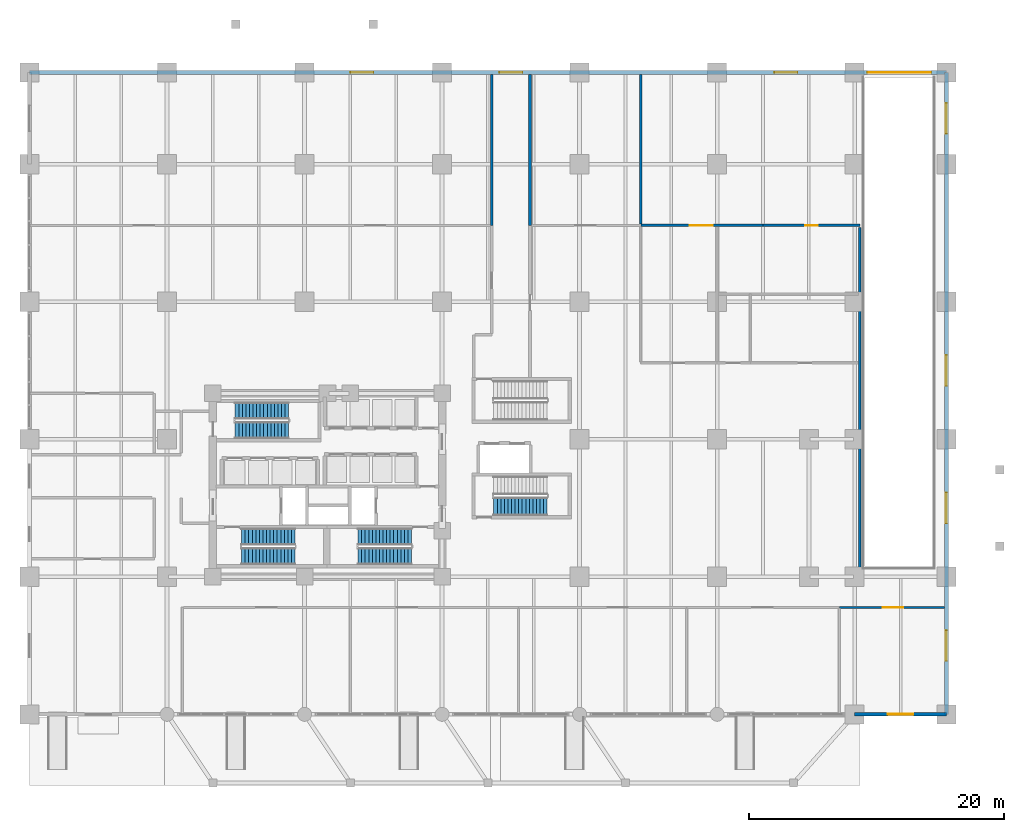
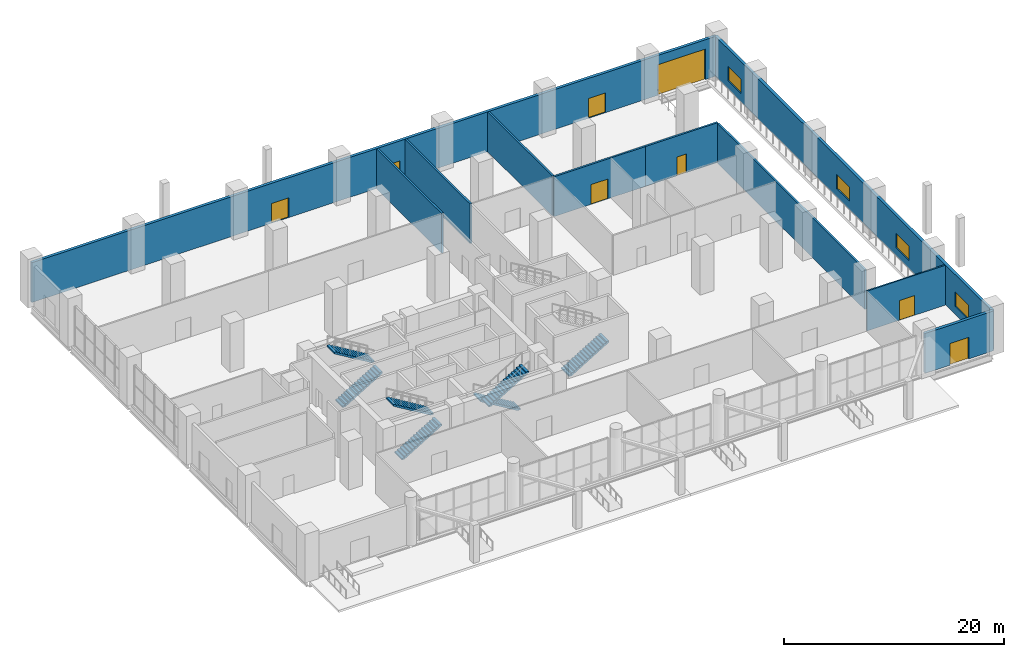
# One storey, part 16 of 22: 10 walls, 8 doors, 7 stair flights, 4 windows, 12 openings, 4 elements without a shape of their own.
"""IFC4 building model written with IfcOpenShell, lengths in metres."""

from ifc_helpers import new_model, si_unit, direction, frame, frame_2d, origin, place, context, subcontext, project, spatial, polyline, rectangle, outline, extrude, material, layer, layer_set, type_object, element, fill, aggregate, save


model = new_model("IFC4")

# Units and contexts
model_context = context("Model", 3, precision=1e-05, world=origin(), true_north=direction((0.0, 1.0)))
body_context = subcontext(model_context, "Body", "Model", "MODEL_VIEW")
ifc_project = project(units=[si_unit("LENGTHUNIT", "METRE"), si_unit("AREAUNIT", "SQUARE_METRE"), si_unit("VOLUMEUNIT", "CUBIC_METRE"), si_unit("PLANEANGLEUNIT", "RADIAN"), si_unit("MASSUNIT", "GRAM", prefix="KILO")], contexts=[model_context])

# Site, building, storey
site_placement = place(None, origin())
site = spatial("IfcSite", under=ifc_project, at=site_placement, CompositionType="ELEMENT")
building_placement = place(site_placement, origin())
building = spatial("IfcBuilding", under=site, at=building_placement, Name="Solnavia Interchange Tower", CompositionType="ELEMENT")
storey_placement = place(building_placement, origin())
storey = spatial("IfcBuildingStorey", under=building, at=storey_placement, Name="L00", CompositionType="ELEMENT", Elevation=0.0)

# Wall, opening, door
ifc_material_1 = material(Name="Concrete C40/50", Category="concrete")
ifc_layer_1 = layer(ifc_material_1, 0.300048828125)
ifc_layer_set_1 = layer_set([ifc_layer_1], Name="Concrete C40/50")
wall_type_1 = type_object("IfcWallType", Name="Wall-ExtSpandrel-300", PredefinedType="STANDARD", material=ifc_layer_set_1)
wall_1_placement = place(storey_placement, frame((72.0, 0.0, 0.0), z_axis=(0.0, 0.0, 1.0), x_axis=(-1.0, 0.0, 0.0)))
wall_1 = element("IfcWall", 1, at=wall_1_placement, inside=storey, type_object=wall_type_1, Name="EXW-L00-SE South-east shopfront wall", PredefinedType="STANDARD", context=body_context, shape_type="SweptSolid", body=[
    extrude(rectangle(XDim=7.199951171875, YDim=0.300048828125, at=frame_2d((3.60009765625, 0.0))), origin(), (0.0, 0.0, 1.0), 4.429931640625),
])
opening_1_placement = place(wall_1_placement, frame((2.60009765625, 0.0, 0.0)))
opening_1 = element("IfcOpeningElement", 2, at=opening_1_placement, cuts=wall_1, Name="Opening EXD-01", PredefinedType="OPENING", context=body_context, shape_type="SweptSolid", body=[
    extrude(rectangle(XDim=2.0, YDim=2.39990234375, at=frame_2d((1.0, 1.199951171875))), frame((0.0, 0.16015625, 0.0), z_axis=(0.0, -1.0, 0.0), x_axis=(1.0, 0.0, 0.0)), (0.0, 0.0, 1.0), 0.320068359375),
])
ifc_material_2 = material(Name="Thermally Broken Aluminium & Laminated Glass", Category="aluminium")
door_type_1 = type_object("IfcDoorType", Name="Door-Entrance-2000x2400", OperationType="DOUBLE_DOOR_SINGLE_SWING", PredefinedType="DOOR", material=ifc_material_2)
door_1_placement = place(opening_1_placement, origin())
door_1 = element("IfcDoor", 3, at=door_1_placement, inside=storey, type_object=door_type_1, Name="EXD-L00-CAFE Waterfront cafe terrace door", OperationType="SINGLE_SWING_LEFT", OverallHeight=2.39990234375, OverallWidth=2.0, PredefinedType="DOOR", context=body_context, shape_type="SweptSolid", body=[
    extrude(rectangle(XDim=2.0, YDim=2.39990234375, at=frame_2d((1.0, 1.199951171875))), frame((0.0, 0.02490234375, 0.0), z_axis=(0.0, -1.0, 0.0), x_axis=(1.0, 0.0, 0.0)), (0.0, 0.0, 1.0), 0.050048828125),
])
fill(opening_1, door_1)

# Wall, openings, windows
wall_2_placement = place(storey_placement, frame((72.0, 50.39990234375, 0.0), z_axis=(0.0, 0.0, 1.0), x_axis=(0.0, -1.0, 0.0)))
wall_2 = element("IfcWall", 4, at=wall_2_placement, inside=storey, type_object=wall_type_1, Name="EXW-L00-E East facade wall", PredefinedType="STANDARD", context=body_context, shape_type="SweptSolid", body=[
    extrude(rectangle(XDim=50.39990234375, YDim=0.300048828125, at=frame_2d((25.199951171875, 0.0))), origin(), (0.0, 0.0, 1.0), 4.429931640625),
])
opening_2_placement = place(wall_2_placement, frame((43.800048828125, 0.0, 0.89990234375)))
opening_2 = element("IfcOpeningElement", 5, at=opening_2_placement, cuts=wall_2, Name="Opening WIN-06", PredefinedType="OPENING", context=body_context, shape_type="SweptSolid", body=[
    extrude(rectangle(XDim=2.39990234375, YDim=1.60009765625, at=frame_2d((1.199951171875, 0.800048828125))), frame((0.0, 0.16015625, 0.0), z_axis=(0.0, -1.0, 0.0), x_axis=(1.0, 0.0, 0.0)), (0.0, 0.0, 1.0), 0.320068359375),
])
opening_3_placement = place(wall_2_placement, frame((33.0, 0.0, 0.89990234375)))
opening_3 = element("IfcOpeningElement", 6, at=opening_3_placement, cuts=wall_2, Name="Opening WIN-06", PredefinedType="OPENING", context=body_context, shape_type="SweptSolid", body=[
    extrude(rectangle(XDim=2.39990234375, YDim=1.60009765625, at=frame_2d((1.199951171875, 0.800048828125))), frame((0.0, 0.16015625, 0.0), z_axis=(0.0, -1.0, 0.0), x_axis=(1.0, 0.0, 0.0)), (0.0, 0.0, 1.0), 0.320068359375),
])
opening_4_placement = place(wall_2_placement, frame((22.199951171875, 0.0, 0.89990234375)))
opening_4 = element("IfcOpeningElement", 7, at=opening_4_placement, cuts=wall_2, Name="Opening WIN-06", PredefinedType="OPENING", context=body_context, shape_type="SweptSolid", body=[
    extrude(rectangle(XDim=2.39990234375, YDim=1.60009765625, at=frame_2d((1.199951171875, 0.800048828125))), frame((0.0, 0.16015625, 0.0), z_axis=(0.0, -1.0, 0.0), x_axis=(1.0, 0.0, 0.0)), (0.0, 0.0, 1.0), 0.320068359375),
])
opening_5_placement = place(wall_2_placement, frame((2.39990234375, 0.0, 0.89990234375)))
opening_5 = element("IfcOpeningElement", 8, at=opening_5_placement, cuts=wall_2, Name="Opening WIN-06", PredefinedType="OPENING", context=body_context, shape_type="SweptSolid", body=[
    extrude(rectangle(XDim=2.39990234375, YDim=1.60009765625, at=frame_2d((1.199951171875, 0.800048828125))), frame((0.0, 0.16015625, 0.0), z_axis=(0.0, -1.0, 0.0), x_axis=(1.0, 0.0, 0.0)), (0.0, 0.0, 1.0), 0.320068359375),
])
ifc_material_3 = material(Name="Thermal-Break Aluminium & Low-E Glass", Category="aluminium")
window_type = type_object("IfcWindowType", Name="Window-Podium-2400x1600", PartitioningType="SINGLE_PANEL", PredefinedType="WINDOW", material=ifc_material_3)
window_1_placement = place(opening_2_placement, origin())
window_1 = element("IfcWindow", 9, at=window_1_placement, inside=storey, type_object=window_type, Name="WIN-L00-E1 East podium window", OverallHeight=1.60009765625, OverallWidth=2.39990234375, PartitioningType="SINGLE_PANEL", PredefinedType="WINDOW", context=body_context, shape_type="SweptSolid", body=[
    extrude(rectangle(XDim=2.39990234375, YDim=1.60009765625, at=frame_2d((1.199951171875, 0.800048828125))), frame((0.0, 0.030029296875, 0.0), z_axis=(0.0, -1.0, 0.0), x_axis=(1.0, 0.0, 0.0)), (0.0, 0.0, 1.0), 0.06005859375),
])
fill(opening_2, window_1)
window_2_placement = place(opening_3_placement, origin())
window_2 = element("IfcWindow", 10, at=window_2_placement, inside=storey, type_object=window_type, Name="WIN-L00-E2 East podium window", OverallHeight=1.60009765625, OverallWidth=2.39990234375, PartitioningType="SINGLE_PANEL", PredefinedType="WINDOW", context=body_context, shape_type="SweptSolid", body=[
    extrude(rectangle(XDim=2.39990234375, YDim=1.60009765625, at=frame_2d((1.199951171875, 0.800048828125))), frame((0.0, 0.030029296875, 0.0), z_axis=(0.0, -1.0, 0.0), x_axis=(1.0, 0.0, 0.0)), (0.0, 0.0, 1.0), 0.06005859375),
])
fill(opening_3, window_2)
window_3_placement = place(opening_4_placement, origin())
window_3 = element("IfcWindow", 11, at=window_3_placement, inside=storey, type_object=window_type, Name="WIN-L00-E3 East podium window", OverallHeight=1.60009765625, OverallWidth=2.39990234375, PartitioningType="SINGLE_PANEL", PredefinedType="WINDOW", context=body_context, shape_type="SweptSolid", body=[
    extrude(rectangle(XDim=2.39990234375, YDim=1.60009765625, at=frame_2d((1.199951171875, 0.800048828125))), frame((0.0, 0.030029296875, 0.0), z_axis=(0.0, -1.0, 0.0), x_axis=(1.0, 0.0, 0.0)), (0.0, 0.0, 1.0), 0.06005859375),
])
fill(opening_4, window_3)
window_4_placement = place(opening_5_placement, origin())
window_4 = element("IfcWindow", 12, at=window_4_placement, inside=storey, type_object=window_type, Name="WIN-L00-E4 East podium window", OverallHeight=1.60009765625, OverallWidth=2.39990234375, PartitioningType="SINGLE_PANEL", PredefinedType="WINDOW", context=body_context, shape_type="SweptSolid", body=[
    extrude(rectangle(XDim=2.39990234375, YDim=1.60009765625, at=frame_2d((1.199951171875, 0.800048828125))), frame((0.0, 0.030029296875, 0.0), z_axis=(0.0, -1.0, 0.0), x_axis=(1.0, 0.0, 0.0)), (0.0, 0.0, 1.0), 0.06005859375),
])
fill(opening_5, window_4)

# Wall, openings, doors
wall_3_placement = place(storey_placement, frame((0.0, 50.39990234375, 0.0), z_axis=(0.0, 0.0, 1.0), x_axis=(1.0, 0.0, 0.0)))
wall_3 = element("IfcWall", 13, at=wall_3_placement, inside=storey, type_object=wall_type_1, Name="EXW-L00-N North interchange & logistics wall", PredefinedType="STANDARD", context=body_context, shape_type="SweptSolid", body=[
    extrude(rectangle(XDim=72.0, YDim=0.300048828125, at=frame_2d((36.0, 0.0))), origin(), (0.0, 0.0, 1.0), 4.429931640625),
])
opening_6_placement = place(wall_3_placement, frame((25.199951171875, 0.0, 0.0)))
opening_6 = element("IfcOpeningElement", 14, at=opening_6_placement, cuts=wall_3, Name="Opening EXD-02", PredefinedType="OPENING", context=body_context, shape_type="SweptSolid", body=[
    extrude(rectangle(XDim=1.800048828125, YDim=2.199951171875, at=frame_2d((0.89990234375, 1.10009765625))), frame((0.0, 0.16015625, 0.0), z_axis=(0.0, -1.0, 0.0), x_axis=(1.0, 0.0, 0.0)), (0.0, 0.0, 1.0), 0.320068359375),
])
opening_7_placement = place(wall_3_placement, frame((36.89990234375, 0.0, 0.0)))
opening_7 = element("IfcOpeningElement", 15, at=opening_7_placement, cuts=wall_3, Name="Opening EXD-02", PredefinedType="OPENING", context=body_context, shape_type="SweptSolid", body=[
    extrude(rectangle(XDim=1.800048828125, YDim=2.199951171875, at=frame_2d((0.89990234375, 1.10009765625))), frame((0.0, 0.16015625, 0.0), z_axis=(0.0, -1.0, 0.0), x_axis=(1.0, 0.0, 0.0)), (0.0, 0.0, 1.0), 0.320068359375),
])
opening_8_placement = place(wall_3_placement, frame((58.5, 0.0, 0.0)))
opening_8 = element("IfcOpeningElement", 16, at=opening_8_placement, cuts=wall_3, Name="Opening EXD-02", PredefinedType="OPENING", context=body_context, shape_type="SweptSolid", body=[
    extrude(rectangle(XDim=1.800048828125, YDim=2.199951171875, at=frame_2d((0.89990234375, 1.10009765625))), frame((0.0, 0.16015625, 0.0), z_axis=(0.0, -1.0, 0.0), x_axis=(1.0, 0.0, 0.0)), (0.0, 0.0, 1.0), 0.320068359375),
])
opening_9_placement = place(wall_3_placement, frame((65.800048828125, 0.0, 0.0)))
opening_9 = element("IfcOpeningElement", 17, at=opening_9_placement, cuts=wall_3, Name="Opening VD-01", PredefinedType="OPENING", context=body_context, shape_type="SweptSolid", body=[
    extrude(rectangle(XDim=5.0, YDim=3.39990234375, at=frame_2d((2.5, 1.699951171875))), frame((0.0, 0.16015625, 0.0), z_axis=(0.0, -1.0, 0.0), x_axis=(1.0, 0.0, 0.0)), (0.0, 0.0, 1.0), 0.320068359375),
])
door_type_2 = type_object("IfcDoorType", Name="Door-ExitDischarge-1800x2200", OperationType="DOUBLE_DOOR_SINGLE_SWING", PredefinedType="DOOR", material=ifc_material_2)
door_2_placement = place(opening_6_placement, origin())
door_2 = element("IfcDoor", 18, at=door_2_placement, inside=storey, type_object=door_type_2, Name="EXD-L00-EXITN North concourse exit discharge door", OperationType="SINGLE_SWING_LEFT", OverallHeight=2.199951171875, OverallWidth=1.800048828125, PredefinedType="DOOR", context=body_context, shape_type="SweptSolid", body=[
    extrude(rectangle(XDim=1.800048828125, YDim=2.199951171875, at=frame_2d((0.89990234375, 1.10009765625))), frame((0.0, 0.02490234375, 0.0), z_axis=(0.0, -1.0, 0.0), x_axis=(1.0, 0.0, 0.0)), (0.0, 0.0, 1.0), 0.050048828125),
])
fill(opening_6, door_2)
door_3_placement = place(opening_7_placement, origin())
door_3 = element("IfcDoor", 19, at=door_3_placement, inside=storey, type_object=door_type_2, Name="EXD-L00-EXITE North-east concourse exit discharge door", OperationType="SINGLE_SWING_LEFT", OverallHeight=2.199951171875, OverallWidth=1.800048828125, PredefinedType="DOOR", context=body_context, shape_type="SweptSolid", body=[
    extrude(rectangle(XDim=1.800048828125, YDim=2.199951171875, at=frame_2d((0.89990234375, 1.10009765625))), frame((0.0, 0.02490234375, 0.0), z_axis=(0.0, -1.0, 0.0), x_axis=(1.0, 0.0, 0.0)), (0.0, 0.0, 1.0), 0.050048828125),
])
fill(opening_7, door_3)
door_4_placement = place(opening_8_placement, origin())
door_4 = element("IfcDoor", 20, at=door_4_placement, inside=storey, type_object=door_type_2, Name="EXD-L00-LOAD Loading bay personnel exit door", OperationType="SINGLE_SWING_LEFT", OverallHeight=2.199951171875, OverallWidth=1.800048828125, PredefinedType="DOOR", context=body_context, shape_type="SweptSolid", body=[
    extrude(rectangle(XDim=1.800048828125, YDim=2.199951171875, at=frame_2d((0.89990234375, 1.10009765625))), frame((0.0, 0.02490234375, 0.0), z_axis=(0.0, -1.0, 0.0), x_axis=(1.0, 0.0, 0.0)), (0.0, 0.0, 1.0), 0.050048828125),
])
fill(opening_8, door_4)
ifc_material_4 = material(Name="Galvanised Steel Roller Shutter", Category="steel")
door_type_3 = type_object("IfcDoorType", Name="Door-VehicleShutter-5000x3400", OperationType="ROLLINGUP", PredefinedType="GATE", material=ifc_material_4)
door_5_placement = place(opening_9_placement, origin())
door_5 = element("IfcDoor", 21, at=door_5_placement, inside=storey, type_object=door_type_3, Name="VD-L00-RAMP Car park roller shutter gate", OperationType="SINGLE_SWING_LEFT", OverallHeight=3.39990234375, OverallWidth=5.0, PredefinedType="GATE", context=body_context, shape_type="SweptSolid", body=[
    extrude(rectangle(XDim=5.0, YDim=3.39990234375, at=frame_2d((2.5, 1.699951171875))), frame((0.0, 0.02490234375, 0.0), z_axis=(0.0, -1.0, 0.0), x_axis=(1.0, 0.0, 0.0)), (0.0, 0.0, 1.0), 0.050048828125),
])
fill(opening_9, door_5)

# Wall, opening, door
ifc_material_5 = material(Name="Gypsum Plasterboard & Steel Stud", Category="steel")
ifc_layer_2 = layer(ifc_material_5, 0.14990234375)
ifc_layer_set_2 = layer_set([ifc_layer_2], Name="Gypsum Plasterboard & Steel Stud")
wall_type_2 = type_object("IfcWallType", Name="Wall-Partition-150", PredefinedType="PARTITIONING", material=ifc_layer_set_2)
wall_4_placement = place(storey_placement, frame((63.60009765625, 8.39990234375, 0.0), z_axis=(0.0, 0.0, 1.0), x_axis=(1.0, 0.0, 0.0)))
wall_4 = element("IfcWall", 22, at=wall_4_placement, inside=storey, type_object=wall_type_2, Name="PTW-L00-10 Interior partition wall", PredefinedType="PARTITIONING", context=body_context, shape_type="SweptSolid", body=[
    extrude(rectangle(XDim=8.245849609375, YDim=0.14990234375, at=frame_2d((4.123046875, 0.0))), origin(), (0.0, 0.0, 1.0), 4.429931640625),
])
opening_10_placement = place(wall_4_placement, frame((3.39990234375, 0.0, 0.0)))
opening_10 = element("IfcOpeningElement", 23, at=opening_10_placement, cuts=wall_4, Name="Opening DR-08", PredefinedType="OPENING", context=body_context, shape_type="SweptSolid", body=[
    extrude(rectangle(XDim=1.60009765625, YDim=2.199951171875, at=frame_2d((0.800048828125, 1.10009765625))), frame((0.0, 0.0849609375, 0.0), z_axis=(0.0, -1.0, 0.0), x_axis=(1.0, 0.0, 0.0)), (0.0, 0.0, 1.0), 0.169921875),
])
ifc_material_6 = material(Name="Thermally Broken Aluminium & Toughened Glass", Category="aluminium")
door_type_4 = type_object("IfcDoorType", Name="Door-RetailDouble-1600x2200", OperationType="DOUBLE_DOOR_SINGLE_SWING", PredefinedType="DOOR", material=ifc_material_6)
door_6_placement = place(opening_10_placement, origin())
door_6 = element("IfcDoor", 24, at=door_6_placement, inside=storey, type_object=door_type_4, Name="DR-L00-05 Interior room door", OperationType="DOUBLE_DOOR_SINGLE_SWING", OverallHeight=2.199951171875, OverallWidth=1.60009765625, PredefinedType="DOOR", context=body_context, shape_type="SweptSolid", body=[
    extrude(rectangle(XDim=1.60009765625, YDim=2.199951171875, at=frame_2d((0.800048828125, 1.10009765625))), frame((0.0, 0.02490234375, 0.0), z_axis=(0.0, -1.0, 0.0), x_axis=(1.0, 0.0, 0.0)), (0.0, 0.0, 1.0), 0.050048828125),
])
fill(opening_10, door_6)

# Walls
ifc_layer_3 = layer(ifc_material_1, 0.199951171875)
ifc_layer_set_3 = layer_set([ifc_layer_3], Name="Concrete C40/50")
wall_type_3 = type_object("IfcWallType", Name="Wall-PlantFire-200", PredefinedType="PARTITIONING", material=ifc_layer_set_3)
for number, where, z_axis, x_axis, name in (
    (25, (36.300048828125, 38.39990234375, 0.0), (0.0, 0.0, 1.0), (0.0, 1.0, 0.0), "PTW-L00-25 Interior partition wall"),
    (26, (39.300048828125, 38.39990234375, 0.0), (0.0, 0.0, 1.0), (0.0, 1.0, 0.0), "PTW-L00-27 Interior partition wall"),
):
    element("IfcWall", number, at=place(storey_placement, frame(where, z_axis=z_axis, x_axis=x_axis)), inside=storey, type_object=wall_type_3, Name=name, PredefinedType="PARTITIONING", context=body_context, shape_type="SweptSolid", body=[
        extrude(rectangle(XDim=11.84619140625, YDim=0.199951171875, at=frame_2d((5.923095703125, 0.0))), origin(), (0.0, 0.0, 1.0), 4.429931640625),
    ])

# Wall, opening, door
wall_5_placement = place(storey_placement, frame((48.0, 38.39990234375, 0.0), z_axis=(0.0, 0.0, 1.0), x_axis=(1.0, 0.0, 0.0)))
wall_5 = element("IfcWall", 27, at=wall_5_placement, inside=storey, type_object=wall_type_3, Name="PTW-L00-31 Interior partition wall", PredefinedType="PARTITIONING", context=body_context, shape_type="SweptSolid", body=[
    extrude(rectangle(XDim=9.60009765625, YDim=0.199951171875, at=frame_2d((4.800048828125, 0.0))), origin(), (0.0, 0.0, 1.0), 4.429931640625),
])
opening_11_placement = place(wall_5_placement, frame((3.860107421875, 0.0, 0.0)))
opening_11 = element("IfcOpeningElement", 28, at=opening_11_placement, cuts=wall_5, Name="Opening DR-05", PredefinedType="OPENING", context=body_context, shape_type="SweptSolid", body=[
    extrude(rectangle(XDim=1.800048828125, YDim=2.199951171875, at=frame_2d((0.89990234375, 1.10009765625))), frame((0.0, 0.10986328125, 0.0), z_axis=(0.0, -1.0, 0.0), x_axis=(1.0, 0.0, 0.0)), (0.0, 0.0, 1.0), 0.219970703125),
])
ifc_material_7 = material(Name="Steel Double Fire Door", Category="steel")
door_type_5 = type_object("IfcDoorType", Name="Door-PlantDouble-1800x2200", OperationType="DOUBLE_DOOR_SINGLE_SWING", PredefinedType="DOOR", material=ifc_material_7)
door_7_placement = place(opening_11_placement, origin())
door_7 = element("IfcDoor", 29, at=door_7_placement, inside=storey, type_object=door_type_5, Name="DR-L00-13 Interior room door", OperationType="DOUBLE_DOOR_SINGLE_SWING", OverallHeight=2.199951171875, OverallWidth=1.800048828125, PredefinedType="DOOR", context=body_context, shape_type="SweptSolid", body=[
    extrude(rectangle(XDim=1.800048828125, YDim=2.199951171875, at=frame_2d((0.89990234375, 1.10009765625))), frame((0.0, 0.02490234375, 0.0), z_axis=(0.0, -1.0, 0.0), x_axis=(1.0, 0.0, 0.0)), (0.0, 0.0, 1.0), 0.050048828125),
])
fill(opening_11, door_7)

wall_6_placement = place(storey_placement, frame((57.60009765625, 38.39990234375, 0.0), z_axis=(0.0, 0.0, 1.0), x_axis=(1.0, 0.0, 0.0)))
wall_6 = element("IfcWall", 30, at=wall_6_placement, inside=storey, type_object=wall_type_3, Name="PTW-L00-32 Interior partition wall", PredefinedType="PARTITIONING", context=body_context, shape_type="SweptSolid", body=[
    extrude(rectangle(XDim=7.599853515625, YDim=0.199951171875, at=frame_2d((3.7998046875, 0.0))), origin(), (0.0, 0.0, 1.0), 4.429931640625),
])
opening_12_placement = place(wall_6_placement, frame((3.300048828125, 0.0, 0.0)))
opening_12 = element("IfcOpeningElement", 31, at=opening_12_placement, cuts=wall_6, Name="Opening DR-04", PredefinedType="OPENING", context=body_context, shape_type="SweptSolid", body=[
    extrude(rectangle(XDim=1.0, YDim=2.10009765625, at=frame_2d((0.5, 1.050048828125))), frame((0.0, 0.10986328125, 0.0), z_axis=(0.0, -1.0, 0.0), x_axis=(1.0, 0.0, 0.0)), (0.0, 0.0, 1.0), 0.219970703125),
])
ifc_material_8 = material(Name="Steel Fire-Rated Plant Door", Category="steel")
door_type_6 = type_object("IfcDoorType", Name="Door-PlantFire-1000x2100", OperationType="SINGLE_SWING_LEFT", PredefinedType="DOOR", material=ifc_material_8)
door_8_placement = place(opening_12_placement, origin())
door_8 = element("IfcDoor", 32, at=door_8_placement, inside=storey, type_object=door_type_6, Name="DR-L00-14 Interior room door", OperationType="SINGLE_SWING_RIGHT", OverallHeight=2.10009765625, OverallWidth=1.0, PredefinedType="DOOR", context=body_context, shape_type="SweptSolid", body=[
    extrude(rectangle(XDim=1.0, YDim=2.10009765625, at=frame_2d((0.5, 1.050048828125))), frame((0.0, 0.02490234375, 0.0), z_axis=(0.0, -1.0, 0.0), x_axis=(1.0, 0.0, 0.0)), (0.0, 0.0, 1.0), 0.050048828125),
])
fill(opening_12, door_8)

# Walls
wall_7_placement = place(storey_placement, frame((48.0, 38.50390625, 0.0), z_axis=(0.0, 0.0, 1.0), x_axis=(0.0, 1.0, 0.0)))
element("IfcWall", 33, at=wall_7_placement, inside=storey, type_object=wall_type_3, Name="PTW-L00-33 Interior partition wall", PredefinedType="PARTITIONING", context=body_context, shape_type="SweptSolid", body=[
    extrude(rectangle(XDim=11.7421875, YDim=0.199951171875, at=frame_2d((5.87109375, 0.0))), origin(), (0.0, 0.0, 1.0), 4.429931640625),
])
wall_8_placement = place(storey_placement, frame((65.199951171875, 11.39990234375, 0.0), z_axis=(0.0, 0.0, 1.0), x_axis=(0.0, 1.0, 0.0)))
element("IfcWall", 34, at=wall_8_placement, inside=storey, type_object=wall_type_3, Name="PTW-L00-34 Interior partition wall", PredefinedType="PARTITIONING", context=body_context, shape_type="SweptSolid", body=[
    extrude(rectangle(XDim=26.820068359375, YDim=0.199951171875, at=frame_2d((13.41015625, 0.0))), origin(), (0.0, 0.0, 1.0), 4.429931640625),
])

# Stair, stair flights
stair_type = type_object("IfcStairType", Name="Stair-Dogleg-RC", PredefinedType="HALF_TURN_STAIR", material=ifc_material_1)
stair_1_placement = place(storey_placement, origin())
stair_1 = element("IfcStair", 35, at=stair_1_placement, inside=storey, type_object=stair_type, Name="L00 Core exit stair 1", PredefinedType="HALF_TURN_STAIR")
stair_flight_type = type_object("IfcStairFlightType", Name="StairFlight-RC-150", PredefinedType="STRAIGHT", material=ifc_material_1)
stair_flight_1_placement = place(storey_placement, frame((16.64990234375, 12.409912109375, 0.0), z_axis=(0.0, 0.0, 1.0), x_axis=(1.0, 0.0, 0.0)))
stair_flight_1 = element("IfcStairFlight", 36, at=stair_flight_1_placement, type_object=stair_flight_type, Name="ST-1 flight 1", NumberOfRisers=16, NumberOfTreads=15, PredefinedType="STRAIGHT", RiserHeight=0.16875, TreadLength=0.28, context=body_context, shape_type="SweptSolid", body=[
    extrude(outline(polyline([(0.0, 0.0), (0.0, 0.168701171875), (0.280029296875, 0.168701171875), (0.280029296875, 0.33740234375), (0.56005859375, 0.33740234375), (0.56005859375, 0.50634765625), (0.840087890625, 0.50634765625), (0.840087890625, 0.675048828125), (1.1201171875, 0.675048828125), (1.1201171875, 0.84375), (1.39990234375, 0.84375), (1.39990234375, 1.012451171875), (1.679931640625, 1.012451171875), (1.679931640625, 1.18115234375), (1.9599609375, 1.18115234375), (1.9599609375, 1.35009765625), (2.239990234375, 1.35009765625), (2.239990234375, 1.518798828125), (2.52001953125, 1.518798828125), (2.52001953125, 1.6875), (2.800048828125, 1.6875), (2.800048828125, 1.856201171875), (3.080078125, 1.856201171875), (3.080078125, 2.02490234375), (3.360107421875, 2.02490234375), (3.360107421875, 2.19384765625), (3.639892578125, 2.19384765625), (3.639892578125, 2.362548828125), (3.919921875, 2.362548828125), (3.919921875, 2.53125), (4.199951171875, 2.53125), (4.199951171875, 2.699951171875), (4.199951171875, 2.356201171875), (0.29052734375, 0.0), (0.0, 0.0)])), frame((0.0, 0.66015625, 0.0), z_axis=(0.0, -1.0, 0.0), x_axis=(1.0, 0.0, 0.0)), (0.0, 0.0, 1.0), 1.320068359375),
])
stair_flight_2_placement = place(storey_placement, frame((20.85009765625, 13.929931640625, 2.699951171875), z_axis=(0.0, 0.0, 1.0), x_axis=(-1.0, 0.0, 0.0)))
stair_flight_2 = element("IfcStairFlight", 37, at=stair_flight_2_placement, type_object=stair_flight_type, Name="ST-1 flight 2", NumberOfRisers=16, NumberOfTreads=15, PredefinedType="STRAIGHT", RiserHeight=0.16875, TreadLength=0.28, context=body_context, shape_type="SweptSolid", body=[
    extrude(outline(polyline([(0.0, 0.0), (0.0, 0.168701171875), (0.280029296875, 0.168701171875), (0.280029296875, 0.33740234375), (0.56005859375, 0.33740234375), (0.56005859375, 0.50634765625), (0.840087890625, 0.50634765625), (0.840087890625, 0.675048828125), (1.1201171875, 0.675048828125), (1.1201171875, 0.84375), (1.39990234375, 0.84375), (1.39990234375, 1.012451171875), (1.679931640625, 1.012451171875), (1.679931640625, 1.18115234375), (1.9599609375, 1.18115234375), (1.9599609375, 1.35009765625), (2.239990234375, 1.35009765625), (2.239990234375, 1.518798828125), (2.52001953125, 1.518798828125), (2.52001953125, 1.6875), (2.800048828125, 1.6875), (2.800048828125, 1.856201171875), (3.080078125, 1.856201171875), (3.080078125, 2.02490234375), (3.360107421875, 2.02490234375), (3.360107421875, 2.19384765625), (3.639892578125, 2.19384765625), (3.639892578125, 2.362548828125), (3.919921875, 2.362548828125), (3.919921875, 2.53125), (4.199951171875, 2.53125), (4.199951171875, 2.699951171875), (4.199951171875, 2.356201171875), (0.29052734375, 0.0), (0.0, 0.0)])), frame((0.0, 0.66015625, 0.0), z_axis=(0.0, -1.0, 0.0), x_axis=(1.0, 0.0, 0.0)), (0.0, 0.0, 1.0), 1.320068359375),
])
aggregate(stair_1, [stair_flight_1, stair_flight_2])

stair_2_placement = place(storey_placement, origin())
stair_2 = element("IfcStair", 38, at=stair_2_placement, inside=storey, type_object=stair_type, Name="L00 Core exit stair 2", PredefinedType="HALF_TURN_STAIR")
stair_flight_3_placement = place(storey_placement, frame((30.0, 13.929931640625, 0.0), z_axis=(0.0, 0.0, 1.0), x_axis=(-1.0, 0.0, 0.0)))
stair_flight_3 = element("IfcStairFlight", 39, at=stair_flight_3_placement, type_object=stair_flight_type, Name="ST-2 flight 1", NumberOfRisers=16, NumberOfTreads=15, PredefinedType="STRAIGHT", RiserHeight=0.16875, TreadLength=0.28, context=body_context, shape_type="SweptSolid", body=[
    extrude(outline(polyline([(0.0, 0.0), (0.0, 0.168701171875), (0.280029296875, 0.168701171875), (0.280029296875, 0.33740234375), (0.56005859375, 0.33740234375), (0.56005859375, 0.50634765625), (0.840087890625, 0.50634765625), (0.840087890625, 0.675048828125), (1.1201171875, 0.675048828125), (1.1201171875, 0.84375), (1.39990234375, 0.84375), (1.39990234375, 1.012451171875), (1.679931640625, 1.012451171875), (1.679931640625, 1.18115234375), (1.9599609375, 1.18115234375), (1.9599609375, 1.35009765625), (2.239990234375, 1.35009765625), (2.239990234375, 1.518798828125), (2.52001953125, 1.518798828125), (2.52001953125, 1.6875), (2.800048828125, 1.6875), (2.800048828125, 1.856201171875), (3.080078125, 1.856201171875), (3.080078125, 2.02490234375), (3.360107421875, 2.02490234375), (3.360107421875, 2.19384765625), (3.639892578125, 2.19384765625), (3.639892578125, 2.362548828125), (3.919921875, 2.362548828125), (3.919921875, 2.53125), (4.199951171875, 2.53125), (4.199951171875, 2.699951171875), (4.199951171875, 2.356201171875), (0.29052734375, 0.0), (0.0, 0.0)])), frame((0.0, 0.66015625, 0.0), z_axis=(0.0, -1.0, 0.0), x_axis=(1.0, 0.0, 0.0)), (0.0, 0.0, 1.0), 1.320068359375),
])
stair_flight_4_placement = place(storey_placement, frame((25.800048828125, 12.409912109375, 2.699951171875), z_axis=(0.0, 0.0, 1.0), x_axis=(1.0, 0.0, 0.0)))
stair_flight_4 = element("IfcStairFlight", 40, at=stair_flight_4_placement, type_object=stair_flight_type, Name="ST-2 flight 2", NumberOfRisers=16, NumberOfTreads=15, PredefinedType="STRAIGHT", RiserHeight=0.16875, TreadLength=0.28, context=body_context, shape_type="SweptSolid", body=[
    extrude(outline(polyline([(0.0, 0.0), (0.0, 0.168701171875), (0.280029296875, 0.168701171875), (0.280029296875, 0.33740234375), (0.56005859375, 0.33740234375), (0.56005859375, 0.50634765625), (0.840087890625, 0.50634765625), (0.840087890625, 0.675048828125), (1.1201171875, 0.675048828125), (1.1201171875, 0.84375), (1.39990234375, 0.84375), (1.39990234375, 1.012451171875), (1.679931640625, 1.012451171875), (1.679931640625, 1.18115234375), (1.9599609375, 1.18115234375), (1.9599609375, 1.35009765625), (2.239990234375, 1.35009765625), (2.239990234375, 1.518798828125), (2.52001953125, 1.518798828125), (2.52001953125, 1.6875), (2.800048828125, 1.6875), (2.800048828125, 1.856201171875), (3.080078125, 1.856201171875), (3.080078125, 2.02490234375), (3.360107421875, 2.02490234375), (3.360107421875, 2.19384765625), (3.639892578125, 2.19384765625), (3.639892578125, 2.362548828125), (3.919921875, 2.362548828125), (3.919921875, 2.53125), (4.199951171875, 2.53125), (4.199951171875, 2.699951171875), (4.199951171875, 2.356201171875), (0.29052734375, 0.0), (0.0, 0.0)])), frame((0.0, 0.66015625, 0.0), z_axis=(0.0, -1.0, 0.0), x_axis=(1.0, 0.0, 0.0)), (0.0, 0.0, 1.0), 1.320068359375),
])
aggregate(stair_2, [stair_flight_3, stair_flight_4])

stair_3_placement = place(storey_placement, origin())
stair_3 = element("IfcStair", 41, at=stair_3_placement, inside=storey, type_object=stair_type, Name="L00 Core exit stair 3", PredefinedType="HALF_TURN_STAIR")
stair_flight_5_placement = place(storey_placement, frame((16.14990234375, 22.31005859375, 0.0), z_axis=(0.0, 0.0, 1.0), x_axis=(1.0, 0.0, 0.0)))
stair_flight_5 = element("IfcStairFlight", 42, at=stair_flight_5_placement, type_object=stair_flight_type, Name="ST-3 flight 1", NumberOfRisers=16, NumberOfTreads=15, PredefinedType="STRAIGHT", RiserHeight=0.16875, TreadLength=0.28, context=body_context, shape_type="SweptSolid", body=[
    extrude(outline(polyline([(0.0, 0.0), (0.0, 0.168701171875), (0.280029296875, 0.168701171875), (0.280029296875, 0.33740234375), (0.56005859375, 0.33740234375), (0.56005859375, 0.50634765625), (0.840087890625, 0.50634765625), (0.840087890625, 0.675048828125), (1.1201171875, 0.675048828125), (1.1201171875, 0.84375), (1.39990234375, 0.84375), (1.39990234375, 1.012451171875), (1.679931640625, 1.012451171875), (1.679931640625, 1.18115234375), (1.9599609375, 1.18115234375), (1.9599609375, 1.35009765625), (2.239990234375, 1.35009765625), (2.239990234375, 1.518798828125), (2.52001953125, 1.518798828125), (2.52001953125, 1.6875), (2.800048828125, 1.6875), (2.800048828125, 1.856201171875), (3.080078125, 1.856201171875), (3.080078125, 2.02490234375), (3.360107421875, 2.02490234375), (3.360107421875, 2.19384765625), (3.639892578125, 2.19384765625), (3.639892578125, 2.362548828125), (3.919921875, 2.362548828125), (3.919921875, 2.53125), (4.199951171875, 2.53125), (4.199951171875, 2.699951171875), (4.199951171875, 2.356201171875), (0.29052734375, 0.0), (0.0, 0.0)])), frame((0.0, 0.66015625, 0.0), z_axis=(0.0, -1.0, 0.0), x_axis=(1.0, 0.0, 0.0)), (0.0, 0.0, 1.0), 1.320068359375),
])
stair_flight_6_placement = place(storey_placement, frame((20.35009765625, 23.830078125, 2.699951171875), z_axis=(0.0, 0.0, 1.0), x_axis=(-1.0, 0.0, 0.0)))
stair_flight_6 = element("IfcStairFlight", 43, at=stair_flight_6_placement, type_object=stair_flight_type, Name="ST-3 flight 2", NumberOfRisers=16, NumberOfTreads=15, PredefinedType="STRAIGHT", RiserHeight=0.16875, TreadLength=0.28, context=body_context, shape_type="SweptSolid", body=[
    extrude(outline(polyline([(0.0, 0.0), (0.0, 0.168701171875), (0.280029296875, 0.168701171875), (0.280029296875, 0.33740234375), (0.56005859375, 0.33740234375), (0.56005859375, 0.50634765625), (0.840087890625, 0.50634765625), (0.840087890625, 0.675048828125), (1.1201171875, 0.675048828125), (1.1201171875, 0.84375), (1.39990234375, 0.84375), (1.39990234375, 1.012451171875), (1.679931640625, 1.012451171875), (1.679931640625, 1.18115234375), (1.9599609375, 1.18115234375), (1.9599609375, 1.35009765625), (2.239990234375, 1.35009765625), (2.239990234375, 1.518798828125), (2.52001953125, 1.518798828125), (2.52001953125, 1.6875), (2.800048828125, 1.6875), (2.800048828125, 1.856201171875), (3.080078125, 1.856201171875), (3.080078125, 2.02490234375), (3.360107421875, 2.02490234375), (3.360107421875, 2.19384765625), (3.639892578125, 2.19384765625), (3.639892578125, 2.362548828125), (3.919921875, 2.362548828125), (3.919921875, 2.53125), (4.199951171875, 2.53125), (4.199951171875, 2.699951171875), (4.199951171875, 2.356201171875), (0.29052734375, 0.0), (0.0, 0.0)])), frame((0.0, 0.66015625, 0.0), z_axis=(0.0, -1.0, 0.0), x_axis=(1.0, 0.0, 0.0)), (0.0, 0.0, 1.0), 1.320068359375),
])
aggregate(stair_3, [stair_flight_5, stair_flight_6])

# Stair, stair flight
stair_4_placement = place(storey_placement, origin())
stair_4 = element("IfcStair", 44, at=stair_4_placement, inside=storey, type_object=stair_type, Name="L00 Podium exit stair 1", PredefinedType="HALF_TURN_STAIR")
stair_flight_7_placement = place(storey_placement, frame((36.449951171875, 16.324951171875, 0.0), z_axis=(0.0, 0.0, 1.0), x_axis=(1.0, 0.0, 0.0)))
stair_flight_7 = element("IfcStairFlight", 45, at=stair_flight_7_placement, type_object=stair_flight_type, Name="ST-P1 flight 1", NumberOfRisers=16, NumberOfTreads=15, PredefinedType="STRAIGHT", RiserHeight=0.16875, TreadLength=0.28, context=body_context, shape_type="SweptSolid", body=[
    extrude(outline(polyline([(0.0, 0.0), (0.0, 0.168701171875), (0.280029296875, 0.168701171875), (0.280029296875, 0.33740234375), (0.56005859375, 0.33740234375), (0.56005859375, 0.50634765625), (0.840087890625, 0.50634765625), (0.840087890625, 0.675048828125), (1.1201171875, 0.675048828125), (1.1201171875, 0.84375), (1.39990234375, 0.84375), (1.39990234375, 1.012451171875), (1.679931640625, 1.012451171875), (1.679931640625, 1.18115234375), (1.9599609375, 1.18115234375), (1.9599609375, 1.35009765625), (2.239990234375, 1.35009765625), (2.239990234375, 1.518798828125), (2.52001953125, 1.518798828125), (2.52001953125, 1.6875), (2.800048828125, 1.6875), (2.800048828125, 1.856201171875), (3.080078125, 1.856201171875), (3.080078125, 2.02490234375), (3.360107421875, 2.02490234375), (3.360107421875, 2.19384765625), (3.639892578125, 2.19384765625), (3.639892578125, 2.362548828125), (3.919921875, 2.362548828125), (3.919921875, 2.53125), (4.199951171875, 2.53125), (4.199951171875, 2.699951171875), (4.199951171875, 2.356201171875), (0.29052734375, 0.0), (0.0, 0.0)])), frame((0.0, 0.72509765625, 0.0), z_axis=(0.0, -1.0, 0.0), x_axis=(1.0, 0.0, 0.0)), (0.0, 0.0, 1.0), 1.449951171875),
])
aggregate(stair_4, [stair_flight_7])

save(model, "model.ifc")
